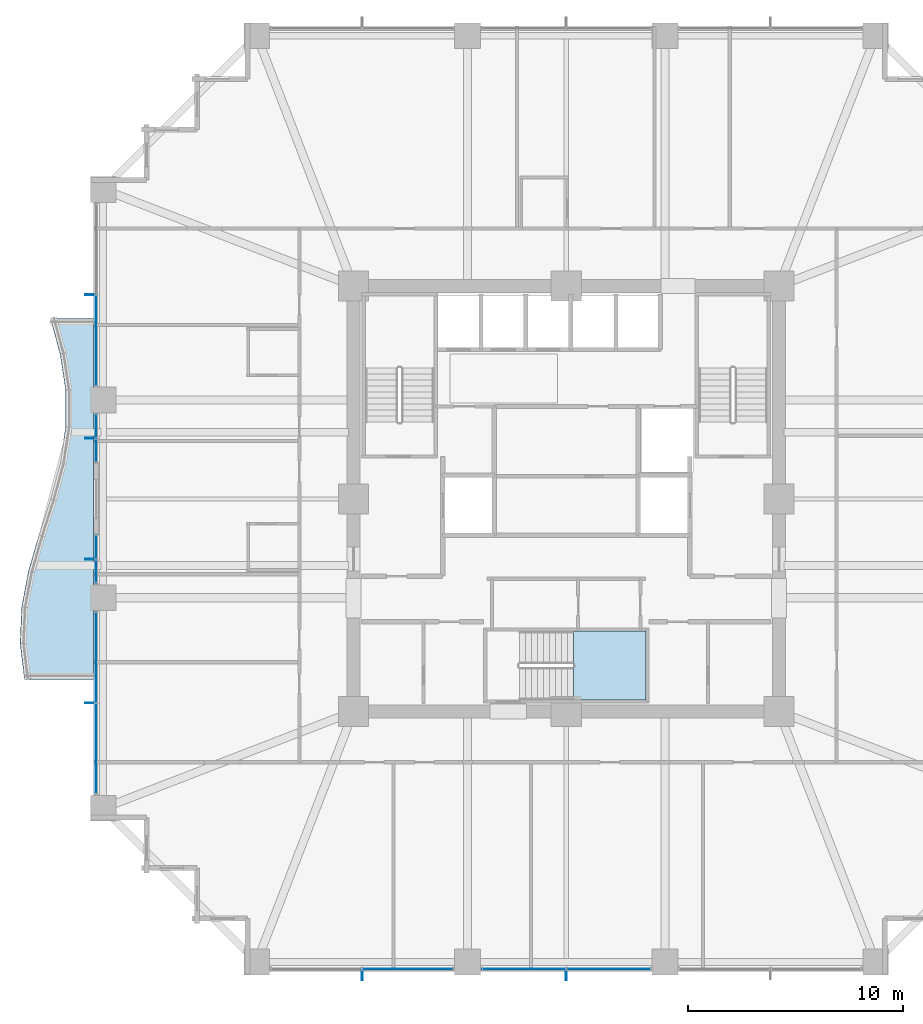
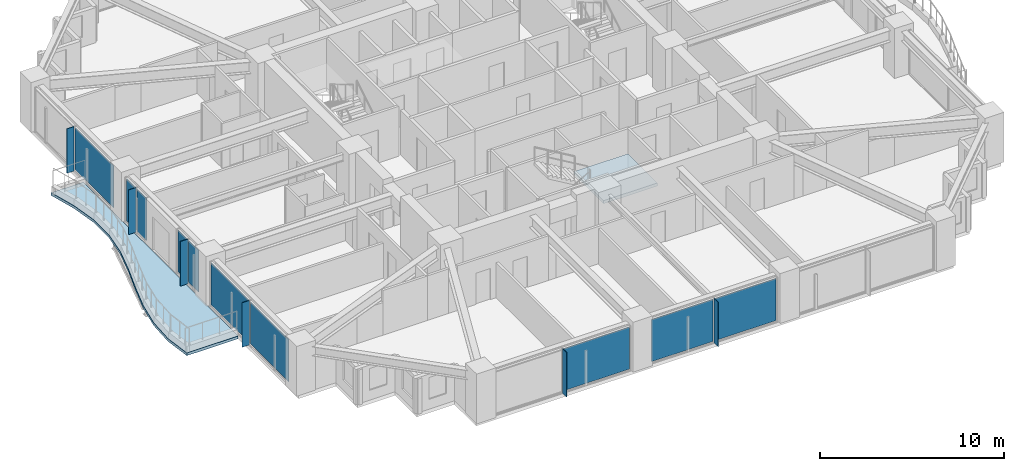
# One storey, part 28 of 38: 16 plates, 2 slabs, 7 elements without a shape of their own.
"""IFC4 building model written with IfcOpenShell, lengths in metres."""

import ifcopenshell
import ifcopenshell.guid

model = None  # the IFC model being written
_history = None  # IfcOwnerHistory: only IFC2X3 demands one
_inside = {}  # id of a spatial element -> (the spatial element, [elements in it])
_under = {}  # id of a project, library or spatial element -> (it, [spatial elements below it])
_declared = {}  # id of a project -> (the project, [libraries it declares])
_typed = {}  # id of a type object -> (the type object, [elements of that type])
_made_of = {}  # id of a material, layer set ... -> (it, [elements and type objects made of it])


def new_model(schema):
    """Start an empty IFC model of exactly this schema.

    Asked for "IFC4X3", IfcOpenShell would pick the latest addendum, in which some entities
    have other attributes; the version numbers below select the first issue.
    IFC2X3 requires an IfcOwnerHistory on every rooted entity: one is made here for all.
    """
    global model, _history
    if schema == "IFC4X3":
        model = ifcopenshell.file(schema_version=(4, 3, 0, 0))
    else:
        model = ifcopenshell.file(schema=schema)
    _inside.clear()
    _under.clear()
    _declared.clear()
    _typed.clear()
    _made_of.clear()
    _history = None
    if model.schema == "IFC2X3":
        org = make("IfcOrganization", Name="unknown")
        user = make(
            "IfcPersonAndOrganization",
            ThePerson=make("IfcPerson", FamilyName="unknown"),
            TheOrganization=org,
        )
        app = make(
            "IfcApplication",
            ApplicationDeveloper=org,
            Version="unknown",
            ApplicationFullName="unknown",
            ApplicationIdentifier="unknown",
        )
        _history = make(
            "IfcOwnerHistory",
            OwningUser=user,
            OwningApplication=app,
            ChangeAction="ADDED",
            CreationDate=0,
        )
    return model


def make(cls, **values):
    """One entity of the class cls with the attributes given. An attribute that is None is left unset."""
    return model.create_entity(
        cls, **{name: value for name, value in values.items() if value is not None}
    )


def rooted(cls, **values):
    """An entity with a GlobalId (a new one), such as an element, a storey or a relation."""
    return make(cls, GlobalId=ifcopenshell.guid.new(), OwnerHistory=_history, **values)


def si_unit(unit_type, name, prefix=None):
    """IfcSIUnit, for example si_unit("LENGTHUNIT", "METRE", prefix="MILLI")."""
    return make("IfcSIUnit", UnitType=unit_type, Prefix=prefix, Name=name)


def assignment(units):
    """IfcUnitAssignment: the units of a project."""
    return None if units is None else make("IfcUnitAssignment", Units=units)


def point(xyz):
    """IfcCartesianPoint."""
    return None if xyz is None else make("IfcCartesianPoint", Coordinates=xyz)


def direction(xyz):
    """IfcDirection."""
    return None if xyz is None else make("IfcDirection", DirectionRatios=xyz)


def frame(location, z_axis=None, x_axis=None):
    """IfcAxis2Placement3D, a coordinate frame: its origin and axes. An axis left out is left unset."""
    return make(
        "IfcAxis2Placement3D",
        Location=point(location),
        Axis=direction(z_axis),
        RefDirection=direction(x_axis),
    )


def frame_2d(location, x_axis=None):
    """IfcAxis2Placement2D, a coordinate frame in the plane: its origin and x axis."""
    return make(
        "IfcAxis2Placement2D", Location=point(location), RefDirection=direction(x_axis)
    )


def origin():
    """The frame at (0, 0, 0) with its axes left unset."""
    return frame((0.0, 0.0, 0.0))


def origin_2d():
    """The frame at (0, 0) in the plane with its x axis left unset."""
    return frame_2d((0.0, 0.0))


def place(relative_to, where):
    """IfcLocalPlacement: puts the frame where relative to a parent placement (None: the world)."""
    return make(
        "IfcLocalPlacement", PlacementRelTo=relative_to, RelativePlacement=where
    )


def context(
    kind, dimensions, precision=None, world=None, true_north=None, identifier=None
):
    """IfcGeometricRepresentationContext, for example the 3D "Model" context."""
    return make(
        "IfcGeometricRepresentationContext",
        ContextIdentifier=identifier,
        ContextType=kind,
        CoordinateSpaceDimension=dimensions,
        Precision=precision,
        WorldCoordinateSystem=world,
        TrueNorth=true_north,
    )


def subcontext(parent, identifier, kind, view, scale=None):
    """IfcGeometricRepresentationSubContext, for example "Body" below "Model"."""
    return make(
        "IfcGeometricRepresentationSubContext",
        ContextIdentifier=identifier,
        ContextType=kind,
        ParentContext=parent,
        TargetScale=scale,
        TargetView=view,
    )


def project(units=None, contexts=None):
    """IfcProject with its units and contexts."""
    return rooted(
        "IfcProject",
        Name="project",
        RepresentationContexts=contexts,
        UnitsInContext=assignment(units),
    )


def spatial(cls, under=None, at=None, **own):
    """A site, building, storey or space (cls), placed at a placement, below another one or the project."""
    s = rooted(cls, ObjectPlacement=at, **own)
    if under is not None:
        _under.setdefault(under.id(), (under, []))[1].append(s)
    return s


def polyline(points):
    """IfcPolyline through the points."""
    return make("IfcPolyline", Points=[point(p) for p in points])


def profile(cls, at=None, kind="AREA", **sizes):
    """A parametric profile (cls). Its sizes go by their IFC names, for example OverallWidth=200.0."""
    return make(cls, ProfileType=kind, Position=at, **sizes)


def rectangle(**sizes):
    """IfcRectangleProfileDef."""
    return profile("IfcRectangleProfileDef", **sizes)


def outline(outer, holes=None, kind="AREA"):
    """IfcArbitraryClosedProfileDef: a profile drawn as a closed curve; with holes, ...WithVoids."""
    if holes is None:
        return make("IfcArbitraryClosedProfileDef", ProfileType=kind, OuterCurve=outer)
    return make(
        "IfcArbitraryProfileDefWithVoids",
        ProfileType=kind,
        OuterCurve=outer,
        InnerCurves=holes,
    )


def extrude(swept, where, along, depth):
    """IfcExtrudedAreaSolid: the profile swept, set in the frame where, extruded along a direction by depth."""
    return make(
        "IfcExtrudedAreaSolid",
        SweptArea=swept,
        Position=where,
        ExtrudedDirection=direction(along),
        Depth=depth,
    )


def shape(context_of_items, identifier, shape_type, items):
    """IfcShapeRepresentation: the items that make up one representation, for example the "Body"."""
    return make(
        "IfcShapeRepresentation",
        ContextOfItems=context_of_items,
        RepresentationIdentifier=identifier,
        RepresentationType=shape_type,
        Items=items,
    )


def material(Name=None, Category=None):
    """IfcMaterial."""
    return make("IfcMaterial", Name=Name, Category=Category)


def layer(
    of_material, thickness, ventilated=None, Name=None, Category=None, Priority=None
):
    """IfcMaterialLayer: one layer of a wall or slab, of a material (None: an air gap)."""
    return make(
        "IfcMaterialLayer",
        Material=of_material,
        LayerThickness=thickness,
        IsVentilated=ventilated,
        Name=Name,
        Category=Category,
        Priority=Priority,
    )


def layer_set(layers, Name=None):
    """IfcMaterialLayerSet."""
    return make("IfcMaterialLayerSet", MaterialLayers=layers, LayerSetName=Name)


def made_of(thing, what):
    """Note that an element or type object is made of a material, layer set ...; save() writes the relation."""
    if what is not None:
        _made_of.setdefault(what.id(), (what, []))[1].append(thing)
    return thing


def type_object(cls, material=None, **own):
    """A type object (cls), such as IfcWallType, which elements share."""
    return made_of(rooted(cls, **own), material)


def element(
    cls,
    number,
    at=None,
    inside=None,
    cuts=None,
    type_object=None,
    material=None,
    context=None,
    identifier="Body",
    shape_type=None,
    held_by="IfcProductDefinitionShape",
    body=None,
    shapes=None,
    **own,
):
    """One element of the class cls, such as IfcWall. Its Tag is "e" and its number.

    at: its placement. inside: the storey or other place that contains it. cuts: it is an
    opening in that element (IfcRelVoidsElement). A single representation is given by context,
    identifier, shape_type and body (its items); several are given by shapes. held_by: the class
    of the entity that holds the representations. save() writes the other relations.
    """
    e = rooted(cls, Tag="e%d" % number, ObjectPlacement=at, **own)
    if body is not None:
        shapes = [shape(context, identifier, shape_type, body)]
    if shapes is not None:
        e.Representation = make(held_by, Representations=shapes)
    if inside is not None:
        _inside.setdefault(inside.id(), (inside, []))[1].append(e)
    if cuts is not None:
        rooted(
            "IfcRelVoidsElement", RelatingBuildingElement=cuts, RelatedOpeningElement=e
        )
    if type_object is not None:
        _typed.setdefault(type_object.id(), (type_object, []))[1].append(e)
    return made_of(e, material)


def aggregate(whole, parts):
    """IfcRelAggregates: a whole, such as a stair, and the parts it consists of."""
    return rooted("IfcRelAggregates", RelatingObject=whole, RelatedObjects=parts)


def save(model, path):
    """Write the relations noted so far, then the file.

    IfcRelAggregates (storeys below a building ...), IfcRelContainedInSpatialStructure (elements
    in a storey), IfcRelDefinesByType, IfcRelAssociatesMaterial and IfcRelDeclares: one each for
    every whole, place, type object, material and project.
    """
    for whole, parts in _under.values():
        aggregate(whole, parts)
    for where, things in _inside.values():
        rooted(
            "IfcRelContainedInSpatialStructure",
            RelatedElements=things,
            RelatingStructure=where,
        )
    for kind, things in _typed.values():
        rooted("IfcRelDefinesByType", RelatedObjects=things, RelatingType=kind)
    for what, things in _made_of.values():
        rooted("IfcRelAssociatesMaterial", RelatedObjects=things, RelatingMaterial=what)
    for by, libraries in _declared.values():
        rooted("IfcRelDeclares", RelatingContext=by, RelatedDefinitions=libraries)
    model.write(path)


model = new_model("IFC4")

# Units and contexts
model_context = context("Model", 3, precision=1e-05, world=origin(), true_north=direction((0.0, 1.0)))
body_context = subcontext(model_context, "Body", "Model", "MODEL_VIEW")
ifc_project = project(units=[si_unit("LENGTHUNIT", "METRE"), si_unit("AREAUNIT", "SQUARE_METRE"), si_unit("VOLUMEUNIT", "CUBIC_METRE"), si_unit("PLANEANGLEUNIT", "RADIAN"), si_unit("MASSUNIT", "GRAM", prefix="KILO")], contexts=[model_context])

# Site, building, storey
site_placement = place(None, origin())
site = spatial("IfcSite", under=ifc_project, at=site_placement, CompositionType="ELEMENT")
building_placement = place(site_placement, origin())
building = spatial("IfcBuilding", under=site, at=building_placement, Name="Kolvaren Belvedere", CompositionType="ELEMENT")
storey_placement = place(building_placement, frame((0.0, 0.0, 60.10009765625)))
storey = spatial("IfcBuildingStorey", under=building, at=storey_placement, Name="L17", CompositionType="ELEMENT", Elevation=60.10009765625)

# Curtain wall, plates
ifc_material_1 = material(Name="Anodised pale-metal aluminium AA 6063-T6", Category="aluminium")
curtain_wall_type = type_object("IfcCurtainWallType", Name="CW-Z1-LOW", PredefinedType="NOTDEFINED", material=ifc_material_1)
curtain_wall_1_placement = place(storey_placement, origin())
curtain_wall_1 = element("IfcCurtainWall", 1, at=curtain_wall_1_placement, inside=storey, type_object=curtain_wall_type, Name="L17 Unitised Curtain Wall FCW-L17-S-B2", PredefinedType="NOTDEFINED")
ifc_material_2 = material(Name="Low-iron triple insulated glass", Category="glass")
ifc_layer_1 = layer(ifc_material_2, 0.028076171875)
ifc_layer_set_1 = layer_set([ifc_layer_1], Name="Low-iron triple insulated glass")
plate_type_1 = type_object("IfcPlateType", Name="CW-PNL-VIS28", PredefinedType="CURTAIN_PANEL", material=ifc_layer_set_1)
plate_1_placement = place(storey_placement, frame((1.972412109375, -21.8798828125, 0.079833984375), z_axis=(0.0, 0.0, 1.0), x_axis=(-1.0, 0.0, 0.0)))
plate_1 = element("IfcPlate", 2, at=plate_1_placement, type_object=plate_type_1, Name="FCW-L17-S-B2 Vision Glazing Panel 1", PredefinedType="CURTAIN_PANEL", context=body_context, shape_type="SweptSolid", body=[
    extrude(rectangle(XDim=3.864990234375, YDim=0.028076171875, at=origin_2d()), origin(), (0.0, 0.0, 1.0), 2.7900390625),
])
plate_2_placement = place(storey_placement, frame((-1.972412109375, -21.8798828125, 0.079833984375), z_axis=(0.0, 0.0, 1.0), x_axis=(-1.0, 0.0, 0.0)))
plate_2 = element("IfcPlate", 3, at=plate_2_placement, type_object=plate_type_1, Name="FCW-L17-S-B2 Vision Glazing Panel 2", PredefinedType="CURTAIN_PANEL", context=body_context, shape_type="SweptSolid", body=[
    extrude(rectangle(XDim=3.864990234375, YDim=0.028076171875, at=origin_2d()), origin(), (0.0, 0.0, 1.0), 2.7900390625),
])
aggregate(curtain_wall_1, [plate_1, plate_2])

# Curtain wall, plate
curtain_wall_2_placement = place(storey_placement, origin())
curtain_wall_2 = element("IfcCurtainWall", 4, at=curtain_wall_2_placement, inside=storey, type_object=curtain_wall_type, Name="L17 Unitised Curtain Wall FCW-L17-S-B3", PredefinedType="NOTDEFINED")
plate_3_placement = place(storey_placement, frame((-7.37744140625, -21.8798828125, 0.079833984375), z_axis=(0.0, 0.0, 1.0), x_axis=(-1.0, 0.0, 0.0)))
plate_3 = element("IfcPlate", 5, at=plate_3_placement, type_object=plate_type_1, Name="FCW-L17-S-B3 Vision Glazing Panel 1", PredefinedType="CURTAIN_PANEL", context=body_context, shape_type="SweptSolid", body=[
    extrude(rectangle(XDim=4.1650390625, YDim=0.028076171875, at=origin_2d()), origin(), (0.0, 0.0, 1.0), 2.7900390625),
])
aggregate(curtain_wall_2, [plate_3])

# Curtain wall, plates
curtain_wall_3_placement = place(storey_placement, origin())
curtain_wall_3 = element("IfcCurtainWall", 6, at=curtain_wall_3_placement, inside=storey, type_object=curtain_wall_type, Name="L17 Unitised Curtain Wall FCW-L17-W1-B1", PredefinedType="NOTDEFINED")
plate_4_placement = place(storey_placement, frame((-21.8798828125, -11.62255859375, 0.079833984375), z_axis=(0.0, 0.0, 1.0), x_axis=(0.0, 1.0, 0.0)))
plate_4 = element("IfcPlate", 7, at=plate_4_placement, type_object=plate_type_1, Name="FCW-L17-W1-B1 Vision Glazing Panel 1", PredefinedType="CURTAIN_PANEL", context=body_context, shape_type="SweptSolid", body=[
    extrude(rectangle(XDim=4.1650390625, YDim=0.028076171875, at=origin_2d()), origin(), (0.0, 0.0, 1.0), 2.7900390625),
])
plate_5_placement = place(storey_placement, frame((-21.8798828125, -7.37744140625, 0.079833984375), z_axis=(0.0, 0.0, 1.0), x_axis=(0.0, 1.0, 0.0)))
plate_5 = element("IfcPlate", 8, at=plate_5_placement, type_object=plate_type_1, Name="FCW-L17-W1-B1 Vision Glazing Panel 2", PredefinedType="CURTAIN_PANEL", context=body_context, shape_type="SweptSolid", body=[
    extrude(rectangle(XDim=4.1650390625, YDim=0.028076171875, at=origin_2d()), origin(), (0.0, 0.0, 1.0), 2.7900390625),
])
aggregate(curtain_wall_3, [plate_4, plate_5])

curtain_wall_4_placement = place(storey_placement, origin())
curtain_wall_4 = element("IfcCurtainWall", 9, at=curtain_wall_4_placement, inside=storey, type_object=curtain_wall_type, Name="L17 Unitised Curtain Wall FCW-L17-W1-B2", PredefinedType="NOTDEFINED")
plate_6_placement = place(storey_placement, frame((-21.8798828125, -3.37890625, 0.079833984375), z_axis=(0.0, 0.0, 1.0), x_axis=(0.0, 1.0, 0.0)))
plate_6 = element("IfcPlate", 10, at=plate_6_placement, type_object=plate_type_1, Name="FCW-L17-W1-B2 Vision Glazing Panel 1", PredefinedType="CURTAIN_PANEL", context=body_context, shape_type="SweptSolid", body=[
    extrude(rectangle(XDim=1.052490234375, YDim=0.028076171875, at=origin_2d()), origin(), (0.0, 0.0, 1.0), 2.7900390625),
])
plate_7_placement = place(storey_placement, frame((-21.8798828125, -2.24609375, 0.079833984375), z_axis=(0.0, 0.0, 1.0), x_axis=(0.0, 1.0, 0.0)))
plate_7 = element("IfcPlate", 11, at=plate_7_placement, type_object=plate_type_1, Name="FCW-L17-W1-B2 Vision Glazing Panel 2", PredefinedType="CURTAIN_PANEL", context=body_context, shape_type="SweptSolid", body=[
    extrude(rectangle(XDim=1.052490234375, YDim=0.028076171875, at=origin_2d()), origin(), (0.0, 0.0, 1.0), 2.7900390625),
])
aggregate(curtain_wall_4, [plate_6, plate_7])

curtain_wall_5_placement = place(storey_placement, origin())
curtain_wall_5 = element("IfcCurtainWall", 12, at=curtain_wall_5_placement, inside=storey, type_object=curtain_wall_type, Name="L17 Unitised Curtain Wall FCW-L17-W2-B1", PredefinedType="NOTDEFINED")
plate_8_placement = place(storey_placement, frame((-21.8798828125, 2.24609375, 0.079833984375), z_axis=(0.0, 0.0, 1.0), x_axis=(0.0, 1.0, 0.0)))
plate_8 = element("IfcPlate", 13, at=plate_8_placement, type_object=plate_type_1, Name="FCW-L17-W2-B1 Vision Glazing Panel 1", PredefinedType="CURTAIN_PANEL", context=body_context, shape_type="SweptSolid", body=[
    extrude(rectangle(XDim=1.052490234375, YDim=0.028076171875, at=origin_2d()), origin(), (0.0, 0.0, 1.0), 2.7900390625),
])
plate_9_placement = place(storey_placement, frame((-21.8798828125, 3.378662109375, 0.079833984375), z_axis=(0.0, 0.0, 1.0), x_axis=(0.0, 1.0, 0.0)))
plate_9 = element("IfcPlate", 14, at=plate_9_placement, type_object=plate_type_1, Name="FCW-L17-W2-B1 Vision Glazing Panel 2", PredefinedType="CURTAIN_PANEL", context=body_context, shape_type="SweptSolid", body=[
    extrude(rectangle(XDim=1.052490234375, YDim=0.028076171875, at=origin_2d()), origin(), (0.0, 0.0, 1.0), 2.7900390625),
])
aggregate(curtain_wall_5, [plate_8, plate_9])

# Curtain wall, plate
curtain_wall_6_placement = place(storey_placement, origin())
curtain_wall_6 = element("IfcCurtainWall", 15, at=curtain_wall_6_placement, inside=storey, type_object=curtain_wall_type, Name="L17 Unitised Curtain Wall FCW-L17-W2-B2", PredefinedType="NOTDEFINED")
plate_10_placement = place(storey_placement, frame((-21.8798828125, 7.37744140625, 0.079833984375), z_axis=(0.0, 0.0, 1.0), x_axis=(0.0, 1.0, 0.0)))
plate_10 = element("IfcPlate", 16, at=plate_10_placement, type_object=plate_type_1, Name="FCW-L17-W2-B2 Vision Glazing Panel 1", PredefinedType="CURTAIN_PANEL", context=body_context, shape_type="SweptSolid", body=[
    extrude(rectangle(XDim=4.1650390625, YDim=0.028076171875, at=origin_2d()), origin(), (0.0, 0.0, 1.0), 2.7900390625),
])
aggregate(curtain_wall_6, [plate_10])

# Plates
ifc_material_3 = material(Name="Anodised pale-metal aluminium AA 6063-T6", Category="aluminium")
ifc_layer_2 = layer(ifc_material_3, 0.0380859375)
ifc_layer_set_2 = layer_set([ifc_layer_2], Name="Anodised pale-metal aluminium AA 6063-T6")
plate_type_2 = type_object("IfcPlateType", Name="FIN-VERT-450", PredefinedType="USERDEFINED", material=ifc_layer_set_2)
for number, where, z_axis, x_axis, name in (
    (17, (0.0, -22.1650390625, 0.0), (0.0, 0.0, 1.0), (0.0, 1.0, 0.0), "L17 Pale-Metal Vertical Shading Fin FCW-L17-S-B2-1"),
    (18, (-9.5, -22.1650390625, 0.0), (0.0, 0.0, 1.0), (0.0, 1.0, 0.0), "L17 Pale-Metal Vertical Shading Fin FCW-L17-S-B3-1"),
    (19, (-22.1650390625, -9.5, 0.0), (0.0, 0.0, 1.0), (1.0, 0.0, 0.0), "L17 Pale-Metal Vertical Shading Fin FCW-L17-W1-B1-1"),
    (20, (-22.1650390625, -2.8125, 0.0), (0.0, 0.0, 1.0), (1.0, 0.0, 0.0), "L17 Pale-Metal Vertical Shading Fin FCW-L17-W1-B2-1"),
    (21, (-22.1650390625, 2.8125, 0.0), (0.0, 0.0, 1.0), (1.0, 0.0, 0.0), "L17 Pale-Metal Vertical Shading Fin FCW-L17-W2-B1-1"),
    (22, (-22.1650390625, 9.5, 0.0), (0.0, 0.0, 1.0), (1.0, 0.0, 0.0), "L17 Pale-Metal Vertical Shading Fin FCW-L17-W2-B2-1"),
):
    element("IfcPlate", number, at=place(storey_placement, frame(where, z_axis=z_axis, x_axis=x_axis)), inside=storey, type_object=plate_type_2, Name=name, ObjectType="VERTICAL FIN", PredefinedType="USERDEFINED", context=body_context, shape_type="SweptSolid", body=[
        extrude(rectangle(XDim=0.449951171875, YDim=0.0380859375, at=origin_2d()), origin(), (0.0, 0.0, 1.0), 2.949951171875),
    ])

# Slab
ifc_material_4 = material(Name="Concrete C50/60", Category="concrete")
ifc_layer_3 = layer(ifc_material_4, 0.179931640625)
ifc_layer_set_3 = layer_set([ifc_layer_3], Name="Concrete C50/60")
slab_type_1 = type_object("IfcSlabType", Name="SL-BAL-180", PredefinedType="FLOOR", material=ifc_layer_set_3)
slab_1_placement = place(storey_placement, frame((0.0, 0.0, -0.239990234375)))
element("IfcSlab", 23, at=slab_1_placement, inside=storey, type_object=slab_type_1, Name="L17 Planted Balcony BAL-W", PredefinedType="FLOOR", context=body_context, shape_type="SweptSolid", body=[
    extrude(outline(polyline([(-24.00634765625, 8.39990234375), (-23.552734375, 6.719970703125), (-23.2939453125, 5.0400390625), (-23.2939453125, 3.360107421875), (-23.552734375, 1.679931640625), (-24.00634765625, 0.0), (-24.54248046875, -1.679931640625), (-25.0283203125, -3.360107421875), (-25.34423828125, -5.0400390625), (-25.419921875, -6.719970703125), (-25.213623046875, -8.39990234375), (-22.0, -8.39990234375), (-22.0, -6.719970703125), (-22.0, -5.0400390625), (-22.0, -3.360107421875), (-22.0, -1.679931640625), (-22.0, 0.0), (-22.0, 1.679931640625), (-22.0, 3.360107421875), (-22.0, 5.0400390625), (-22.0, 6.719970703125), (-22.0, 8.39990234375), (-24.00634765625, 8.39990234375)])), origin(), (0.0, 0.0, 1.0), 0.179931640625),
])

# Stair, slab
ifc_material_5 = material(Name="Concrete C50/60", Category="concrete")
stair_type = type_object("IfcStairType", Name="ST-CORE-1520", PredefinedType="HALF_TURN_STAIR", material=ifc_material_5)
stair_placement = place(storey_placement, origin())
stair = element("IfcStair", 24, at=stair_placement, inside=storey, type_object=stair_type, Name="L17 Protected Exit Stair ST-3", PredefinedType="HALF_TURN_STAIR")
ifc_material_6 = material(Name="Concrete C50/60", Category="concrete")
ifc_layer_4 = layer(ifc_material_6, 0.260009765625)
ifc_layer_set_4 = layer_set([ifc_layer_4], Name="Concrete C50/60")
slab_type_2 = type_object("IfcSlabType", Name="SL-LAND-260", PredefinedType="LANDING", material=ifc_layer_set_4)
slab_2_placement = place(storey_placement, frame((0.0, 0.0, 1.449951171875)))
slab_2 = element("IfcSlab", 25, at=slab_2_placement, type_object=slab_type_2, Name="ST-3 landing 1", PredefinedType="LANDING", context=body_context, shape_type="SweptSolid", body=[
    extrude(outline(polyline([(0.340087890625, -9.35009765625), (3.699951171875, -9.35009765625), (3.699951171875, -6.159912109375), (0.340087890625, -6.159912109375), (0.340087890625, -9.35009765625)])), origin(), (0.0, 0.0, 1.0), 0.199951171875),
])
aggregate(stair, [slab_2])

save(model, "model.ifc")
